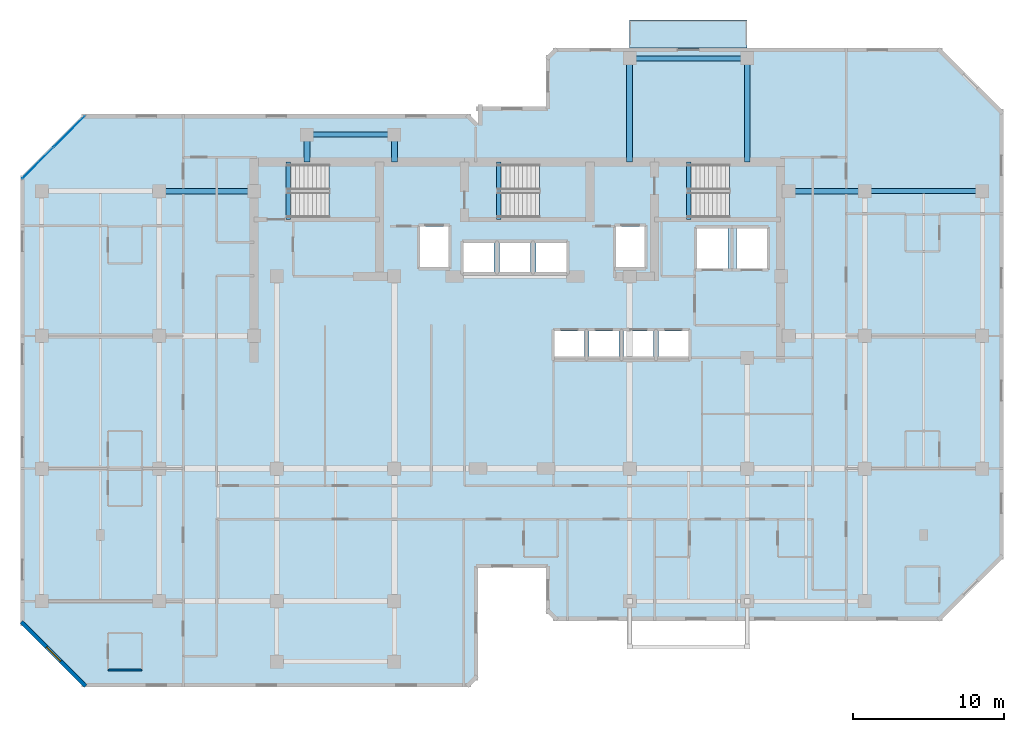
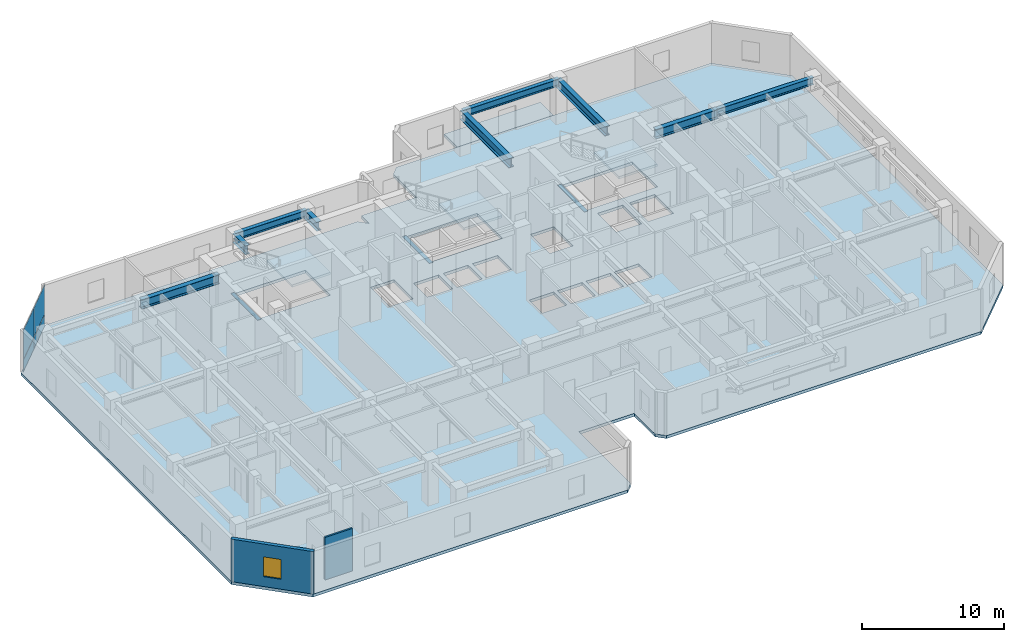
# One storey, part 3 of 10: 12 beams, 5 slabs, 4 plates, 2 walls, 1 window, 1 opening, 4 elements without a shape of their own.
"""IFC4 building model written with IfcOpenShell, lengths in metres."""

from ifc_helpers import new_model, si_unit, direction, frame, frame_2d, origin, origin_2d, place, context, subcontext, project, spatial, polyline, rectangle, i_section, outline, extrude, material, layer, layer_set, material_profile, profile_set, type_object, element, fill, aggregate, save


model = new_model("IFC4")

# Units and contexts
model_context = context("Model", 3, precision=1e-05, world=origin(), true_north=direction((0.0, 1.0)))
body_context = subcontext(model_context, "Body", "Model", "MODEL_VIEW")
ifc_project = project(units=[si_unit("LENGTHUNIT", "METRE"), si_unit("AREAUNIT", "SQUARE_METRE"), si_unit("VOLUMEUNIT", "CUBIC_METRE"), si_unit("PLANEANGLEUNIT", "RADIAN"), si_unit("MASSUNIT", "GRAM", prefix="KILO")], contexts=[model_context])

# Site, building, storey
site_placement = place(None, origin())
site = spatial("IfcSite", under=ifc_project, at=site_placement, CompositionType="ELEMENT")
building_placement = place(site_placement, origin())
building = spatial("IfcBuilding", under=site, at=building_placement, Name="Kestravale Grand Hotel", CompositionType="ELEMENT")
storey_placement = place(building_placement, frame((0.0, 0.0, 224.10009765625)))
storey = spatial("IfcBuildingStorey", under=building, at=storey_placement, Name="L56", CompositionType="ELEMENT", Elevation=224.10009765625)

# Beams
ifc_material_1 = material(Name="Concrete f'c 45 MPa", Category="concrete")
ifc_material_profile_1 = material_profile(ifc_material_1, rectangle(XDim=0.300048828125, YDim=0.39990234375, at=origin_2d()))
ifc_profile_set_1 = profile_set([ifc_material_profile_1], Name="Concrete f'c 45 MPa")
beam_type_1 = type_object("IfcBeamType", Name="B-FLR-LNT400", PredefinedType="LINTEL", material=ifc_profile_set_1)
for number, where, z_axis, x_axis, name in (
    (1, (24.159912109375, 36.52001953125, -0.2001953125), (0.0, 1.0, 0.0), (-1.0, 0.0, 0.0), "L56 ST1 flight bottom header beam"),
    (2, (38.110107421875, 36.52001953125, -0.2001953125), (0.0, 1.0, 0.0), (-1.0, 0.0, 0.0), "L56 ST2 flight bottom header beam"),
    (3, (50.7099609375, 36.52001953125, -0.2001953125), (0.0, 1.0, 0.0), (-1.0, 0.0, 0.0), "L56 ST3 flight bottom header beam"),
):
    element("IfcBeam", number, at=place(storey_placement, frame(where, z_axis=z_axis, x_axis=x_axis)), inside=storey, type_object=beam_type_1, Name=name, PredefinedType="LINTEL", context=body_context, shape_type="SweptSolid", body=[
        extrude(rectangle(XDim=0.300048828125, YDim=0.39990234375, at=origin_2d()), origin(), (0.0, 0.0, 1.0), 3.800048828125),
    ])
ifc_material_2 = material(Name="Steel ASTM A992 Grade 50", Category="steel")
ifc_material_profile_2 = material_profile(ifc_material_2, i_section(OverallWidth=0.324951171875, OverallDepth=0.612060546875, WebThickness=0.0126953125, FlangeThickness=0.01904296875, FilletRadius=0.018798828125, at=origin_2d()))
ifc_profile_set_2 = profile_set([ifc_material_profile_2], Name="Steel ASTM A992 Grade 50")
beam_type_2 = type_object("IfcBeamType", Name="B-FLR-W24A", PredefinedType="SPANDREL", material=ifc_profile_set_2)
for number, where, z_axis, x_axis, name in (
    (4, (62.39990234375, 38.39990234375, 3.343994140625), (1.0, 0.0, 0.0), (0.0, 1.0, 0.0), "L56 spandrel F:10-11"),
    (5, (46.800048828125, 47.199951171875, 3.343994140625), (1.0, 0.0, 0.0), (0.0, 1.0, 0.0), "L56 spandrel G:8-9"),
):
    element("IfcBeam", number, at=place(storey_placement, frame(where, z_axis=z_axis, x_axis=x_axis)), inside=storey, type_object=beam_type_2, Name=name, PredefinedType="SPANDREL", context=body_context, shape_type="SweptSolid", body=[
        extrude(i_section(OverallWidth=0.324951171875, OverallDepth=0.612060546875, WebThickness=0.0126953125, FlangeThickness=0.01904296875, FilletRadius=0.018798828125, at=origin_2d()), origin(), (0.0, 0.0, 1.0), 7.800048828125),
    ])
beam_1_placement = place(storey_placement, frame((25.39990234375, 42.14990234375, 3.343994140625), z_axis=(1.0, 0.0, 0.0), x_axis=(0.0, 1.0, 0.0)))
element("IfcBeam", 6, at=beam_1_placement, inside=storey, type_object=beam_type_2, Name="L56 perimeter tie spandrel FN:4-5", PredefinedType="SPANDREL", context=body_context, shape_type="SweptSolid", body=[
    extrude(i_section(OverallWidth=0.324951171875, OverallDepth=0.612060546875, WebThickness=0.0126953125, FlangeThickness=0.01904296875, FilletRadius=0.018798828125, at=origin_2d()), origin(), (0.0, 0.0, 1.0), 5.800048828125),
])
ifc_material_3 = material(Name="Steel ASTM A992 Grade 50", Category="steel")
ifc_material_profile_3 = material_profile(ifc_material_3, i_section(OverallWidth=0.381103515625, OverallDepth=0.77197265625, WebThickness=0.0166015625, FlangeThickness=0.027099609375, FilletRadius=0.023681640625, at=origin_2d()))
ifc_profile_set_3 = profile_set([ifc_material_profile_3], Name="Steel ASTM A992 Grade 50")
beam_type_3 = type_object("IfcBeamType", Name="B-GRD-W30", PredefinedType="BEAM", material=ifc_profile_set_3)
beam_2_placement = place(storey_placement, frame((15.60009765625, 38.39990234375, 3.263916015625), z_axis=(1.0, 0.0, 0.0), x_axis=(0.0, 1.0, 0.0)))
element("IfcBeam", 7, at=beam_2_placement, inside=storey, type_object=beam_type_3, Name="L56 girder F:3-CW", PredefinedType="BEAM", context=body_context, shape_type="SweptSolid", body=[
    extrude(i_section(OverallWidth=0.381103515625, OverallDepth=0.77197265625, WebThickness=0.0166015625, FlangeThickness=0.027099609375, FilletRadius=0.023681640625, at=origin_2d()), origin(), (0.0, 0.0, 1.0), 6.2998046875),
])
beam_3_placement = place(storey_placement, frame((57.35009765625, 38.39990234375, 3.263916015625), z_axis=(1.0, 0.0, 0.0), x_axis=(0.0, 1.0, 0.0)))
element("IfcBeam", 8, at=beam_3_placement, inside=storey, type_object=beam_type_3, Name="L56 girder F:CE-10", PredefinedType="BEAM", context=body_context, shape_type="SweptSolid", body=[
    extrude(i_section(OverallWidth=0.381103515625, OverallDepth=0.77197265625, WebThickness=0.0166015625, FlangeThickness=0.027099609375, FilletRadius=0.023681640625, at=origin_2d()), origin(), (0.0, 0.0, 1.0), 5.0498046875),
])
for number, where, z_axis, x_axis, name in (
    (9, (25.39990234375, 40.320068359375, 3.263916015625), (0.0, 1.0, 0.0), (-1.0, 0.0, 0.0), "L56 north wing tie girder 4:CN-FN"),
    (10, (31.199951171875, 40.320068359375, 3.263916015625), (0.0, 1.0, 0.0), (-1.0, 0.0, 0.0), "L56 north wing tie girder 5:CN-FN"),
):
    element("IfcBeam", number, at=place(storey_placement, frame(where, z_axis=z_axis, x_axis=x_axis)), inside=storey, type_object=beam_type_3, Name=name, PredefinedType="BEAM", context=body_context, shape_type="SweptSolid", body=[
        extrude(i_section(OverallWidth=0.381103515625, OverallDepth=0.77197265625, WebThickness=0.0166015625, FlangeThickness=0.027099609375, FilletRadius=0.023681640625, at=origin_2d()), origin(), (0.0, 0.0, 1.0), 1.829833984375),
    ])
for number, where, z_axis, x_axis, name in (
    (11, (46.800048828125, 40.320068359375, 3.263916015625), (0.0, 1.0, 0.0), (-1.0, 0.0, 0.0), "L56 north wing tie girder 8:CN-G"),
    (12, (54.60009765625, 40.320068359375, 3.263916015625), (0.0, 1.0, 0.0), (-1.0, 0.0, 0.0), "L56 north wing tie girder 9:CN-G"),
):
    element("IfcBeam", number, at=place(storey_placement, frame(where, z_axis=z_axis, x_axis=x_axis)), inside=storey, type_object=beam_type_3, Name=name, PredefinedType="BEAM", context=body_context, shape_type="SweptSolid", body=[
        extrude(i_section(OverallWidth=0.381103515625, OverallDepth=0.77197265625, WebThickness=0.0166015625, FlangeThickness=0.027099609375, FilletRadius=0.023681640625, at=origin_2d()), origin(), (0.0, 0.0, 1.0), 6.8798828125),
    ])

# Curtain wall, plates
ifc_material_4 = material(Name="Thermally broken champagne-bronze aluminium and low-E glazing", Category="aluminium")
ifc_layer_1 = layer(ifc_material_4, 0.179931640625)
ifc_layer_set_1 = layer_set([ifc_layer_1], Name="CW-Z3")
curtain_wall_type = type_object("IfcCurtainWallType", Name="CW-Z3", PredefinedType="NOTDEFINED", material=ifc_layer_set_1)
curtain_wall_placement = place(storey_placement, origin())
curtain_wall = element("IfcCurtainWall", 13, at=curtain_wall_placement, inside=storey, type_object=curtain_wall_type, Name="L56 unitised curtain wall 18", PredefinedType="NOTDEFINED")
ifc_material_5 = material(Name="Insulated clear low-E double glazing IGU", Category="glass")
ifc_layer_2 = layer(ifc_material_5, 0.031982421875)
ifc_layer_set_2 = layer_set([ifc_layer_2], Name="CW-PNL-32")
plate_type = type_object("IfcPlateType", Name="CW-PNL-32", PredefinedType="CURTAIN_PANEL", material=ifc_layer_set_2)
plate_1_placement = place(storey_placement, frame((9.64453125, 42.3466796875, 0.06494140625), z_axis=(0.0, 0.0, 1.0), x_axis=(-0.707106781187, -0.707106781187, 0.0)))
plate_1 = element("IfcPlate", 14, at=plate_1_placement, type_object=plate_type, Name="CW-Z3 panel 1.1", PredefinedType="CURTAIN_PANEL", context=body_context, shape_type="SweptSolid", body=[
    extrude(rectangle(XDim=2.892333984375, YDim=0.031982421875, at=origin_2d()), origin(), (0.0, 0.0, 1.0), 0.952392578125),
])
plate_2_placement = place(storey_placement, frame((9.64453125, 42.3466796875, 1.08251953125), z_axis=(0.0, 0.0, 1.0), x_axis=(-0.707106781187, -0.707106781187, 0.0)))
plate_2 = element("IfcPlate", 15, at=plate_2_placement, type_object=plate_type, Name="CW-Z3 panel 1.2", PredefinedType="CURTAIN_PANEL", context=body_context, shape_type="SweptSolid", body=[
    extrude(rectangle(XDim=2.892333984375, YDim=0.031982421875, at=origin_2d()), origin(), (0.0, 0.0, 1.0), 2.50244140625),
])
plate_3_placement = place(storey_placement, frame((7.553466796875, 40.25537109375, 0.06494140625), z_axis=(0.0, 0.0, 1.0), x_axis=(-0.707106781187, -0.707106781187, 0.0)))
plate_3 = element("IfcPlate", 16, at=plate_3_placement, type_object=plate_type, Name="CW-Z3 panel 2.1", PredefinedType="CURTAIN_PANEL", context=body_context, shape_type="SweptSolid", body=[
    extrude(rectangle(XDim=2.892333984375, YDim=0.031982421875, at=origin_2d()), origin(), (0.0, 0.0, 1.0), 0.952392578125),
])
plate_4_placement = place(storey_placement, frame((7.553466796875, 40.25537109375, 1.08251953125), z_axis=(0.0, 0.0, 1.0), x_axis=(-0.707106781187, -0.707106781187, 0.0)))
plate_4 = element("IfcPlate", 17, at=plate_4_placement, type_object=plate_type, Name="CW-Z3 panel 2.2", PredefinedType="CURTAIN_PANEL", context=body_context, shape_type="SweptSolid", body=[
    extrude(rectangle(XDim=2.892333984375, YDim=0.031982421875, at=origin_2d()), origin(), (0.0, 0.0, 1.0), 2.50244140625),
])
aggregate(curtain_wall, [plate_1, plate_2, plate_3, plate_4])

# Slab
ifc_material_6 = material(Name="Concrete f'c 45 MPa", Category="concrete")
ifc_layer_3 = layer(ifc_material_6, 0.27001953125)
ifc_layer_set_3 = layer_set([ifc_layer_3], Name="ES-TERR-270")
slab_type_1 = type_object("IfcSlabType", Name="ES-TERR-270", PredefinedType="FLOOR", material=ifc_layer_set_3)
slab_1_placement = place(storey_placement, frame((0.0, 0.0, -0.27001953125)))
element("IfcSlab", 18, at=slab_1_placement, inside=storey, type_object=slab_type_1, Name="L56 spiralling planted garden terrace", PredefinedType="FLOOR", context=body_context, shape_type="SweptSolid", body=[
    extrude(outline(polyline([(46.800048828125, 47.89990234375), (54.60009765625, 47.89990234375), (54.60009765625, 49.75), (46.800048828125, 49.75), (46.800048828125, 47.89990234375)])), origin(), (0.0, 0.0, 1.0), 0.27001953125),
])

# Stair, slab
ifc_material_7 = material(Name="Concrete f'c 45 MPa", Category="concrete")
stair_type = type_object("IfcStairType", Name="ST-CORE-390", PredefinedType="HALF_TURN_STAIR", material=ifc_material_7)
stair_1_placement = place(storey_placement, origin())
stair_1 = element("IfcStair", 19, at=stair_1_placement, inside=storey, type_object=stair_type, Name="L56 ST-1", PredefinedType="HALF_TURN_STAIR")
ifc_material_8 = material(Name="Concrete f'c 45 MPa", Category="concrete")
ifc_layer_4 = layer(ifc_material_8, 0.199951171875)
ifc_layer_set_4 = layer_set([ifc_layer_4], Name="SLB-ST-LND200")
slab_type_2 = type_object("IfcSlabType", Name="SLB-ST-LND200", PredefinedType="LANDING", material=ifc_layer_set_4)
slab_2_placement = place(storey_placement, frame((0.0, 0.0, 1.75)))
slab_2 = element("IfcSlab", 20, at=slab_2_placement, type_object=slab_type_2, Name="ST-1 landing 1", PredefinedType="LANDING", context=body_context, shape_type="SweptSolid", body=[
    extrude(outline(polyline([(26.8798828125, 36.64990234375), (30.0, 36.64990234375), (30.0, 40.159912109375), (26.8798828125, 40.159912109375), (26.8798828125, 36.64990234375)])), origin(), (0.0, 0.0, 1.0), 0.199951171875),
])
aggregate(stair_1, [slab_2])

stair_2_placement = place(storey_placement, origin())
stair_2 = element("IfcStair", 21, at=stair_2_placement, inside=storey, type_object=stair_type, Name="L56 ST-2", PredefinedType="HALF_TURN_STAIR")
slab_3_placement = place(storey_placement, frame((0.0, 0.0, 1.75)))
slab_3 = element("IfcSlab", 22, at=slab_3_placement, type_object=slab_type_2, Name="ST-2 landing 1", PredefinedType="LANDING", context=body_context, shape_type="SweptSolid", body=[
    extrude(outline(polyline([(40.830078125, 36.64990234375), (43.949951171875, 36.64990234375), (43.949951171875, 40.159912109375), (40.830078125, 40.159912109375), (40.830078125, 36.64990234375)])), origin(), (0.0, 0.0, 1.0), 0.199951171875),
])
aggregate(stair_2, [slab_3])

stair_3_placement = place(storey_placement, origin())
stair_3 = element("IfcStair", 23, at=stair_3_placement, inside=storey, type_object=stair_type, Name="L56 ST-3", PredefinedType="HALF_TURN_STAIR")
slab_4_placement = place(storey_placement, frame((0.0, 0.0, 1.75)))
slab_4 = element("IfcSlab", 24, at=slab_4_placement, type_object=slab_type_2, Name="ST-3 landing 1", PredefinedType="LANDING", context=body_context, shape_type="SweptSolid", body=[
    extrude(outline(polyline([(53.429931640625, 36.64990234375), (56.550048828125, 36.64990234375), (56.550048828125, 40.159912109375), (53.429931640625, 40.159912109375), (53.429931640625, 36.64990234375)])), origin(), (0.0, 0.0, 1.0), 0.199951171875),
])
aggregate(stair_3, [slab_4])

# Slab
ifc_material_9 = material(Name="Concrete f'c 45 MPa", Category="concrete")
ifc_layer_5 = layer(ifc_material_9, 0.25)
ifc_layer_set_5 = layer_set([ifc_layer_5], Name="SS-FLR-250")
slab_type_3 = type_object("IfcSlabType", Name="SS-FLR-250", PredefinedType="FLOOR", material=ifc_layer_set_5)
slab_5_placement = place(storey_placement, frame((0.0, 0.0, -0.25)))
element("IfcSlab", 25, at=slab_5_placement, inside=storey, type_object=slab_type_3, Name="L56 structural floor slab", PredefinedType="FLOOR", context=body_context, shape_type="SweptSolid", body=[
    extrude(outline(polyline([(10.60009765625, 5.5), (36.14990234375, 5.5), (36.75, 6.10009765625), (36.75, 13.39990234375), (41.25, 13.39990234375), (41.25, 10.5), (41.85009765625, 9.89990234375), (67.39990234375, 9.89990234375), (71.60009765625, 14.10009765625), (71.60009765625, 43.699951171875), (67.39990234375, 47.89990234375), (41.85009765625, 47.89990234375), (41.25, 47.300048828125), (41.25, 44.0), (36.75, 44.0), (36.75, 42.89990234375), (36.14990234375, 43.5), (10.60009765625, 43.5), (6.39990234375, 39.300048828125), (6.39990234375, 9.699951171875), (10.60009765625, 5.5)]), holes=[polyline([(24.080078125, 36.64990234375), (30.0, 36.64990234375), (30.0, 40.159912109375), (24.080078125, 40.159912109375), (24.080078125, 36.64990234375)]), polyline([(38.030029296875, 36.64990234375), (43.949951171875, 36.64990234375), (43.949951171875, 40.159912109375), (38.030029296875, 40.159912109375), (38.030029296875, 36.64990234375)]), polyline([(50.6298828125, 36.64990234375), (56.550048828125, 36.64990234375), (56.550048828125, 40.159912109375), (50.6298828125, 40.159912109375), (50.6298828125, 36.64990234375)]), polyline([(41.804931640625, 27.280029296875), (43.794921875, 27.280029296875), (43.794921875, 29.1201171875), (41.804931640625, 29.1201171875), (41.804931640625, 27.280029296875)]), polyline([(44.10498046875, 27.280029296875), (46.094970703125, 27.280029296875), (46.094970703125, 29.1201171875), (44.10498046875, 29.1201171875), (44.10498046875, 27.280029296875)]), polyline([(46.405029296875, 27.280029296875), (48.39501953125, 27.280029296875), (48.39501953125, 29.1201171875), (46.405029296875, 29.1201171875), (46.405029296875, 27.280029296875)]), polyline([(48.705078125, 27.280029296875), (50.695068359375, 27.280029296875), (50.695068359375, 29.1201171875), (48.705078125, 29.1201171875), (48.705078125, 27.280029296875)]), polyline([(35.780029296875, 33.030029296875), (37.820068359375, 33.030029296875), (37.820068359375, 34.969970703125), (35.780029296875, 34.969970703125), (35.780029296875, 33.030029296875)]), polyline([(38.179931640625, 33.030029296875), (40.219970703125, 33.030029296875), (40.219970703125, 34.969970703125), (38.179931640625, 34.969970703125), (38.179931640625, 33.030029296875)]), polyline([(40.580078125, 33.030029296875), (42.6201171875, 33.030029296875), (42.6201171875, 34.969970703125), (40.580078125, 34.969970703125), (40.580078125, 33.030029296875)]), polyline([(32.905029296875, 33.35498046875), (34.794921875, 33.35498046875), (34.794921875, 36.044921875), (32.905029296875, 36.044921875), (32.905029296875, 33.35498046875)]), polyline([(45.905029296875, 33.35498046875), (47.794921875, 33.35498046875), (47.794921875, 36.044921875), (45.905029296875, 36.044921875), (45.905029296875, 33.35498046875)]), polyline([(51.280029296875, 33.280029296875), (53.320068359375, 33.280029296875), (53.320068359375, 35.919921875), (51.280029296875, 35.919921875), (51.280029296875, 33.280029296875)]), polyline([(53.8798828125, 33.280029296875), (55.919921875, 33.280029296875), (55.919921875, 35.919921875), (53.8798828125, 35.919921875), (53.8798828125, 33.280029296875)])]), origin(), (0.0, 0.0, 1.0), 0.25),
])

# Wall, opening, window
ifc_material_10 = material(Name="Precast concrete f'c 45 MPa", Category="concrete")
ifc_layer_6 = layer(ifc_material_10, 0.280029296875)
ifc_layer_set_6 = layer_set([ifc_layer_6], Name="EW-PREC-280")
wall_type_1 = type_object("IfcWallType", Name="EW-PREC-280", PredefinedType="SOLIDWALL", material=ifc_layer_set_6)
wall_1_placement = place(storey_placement, frame((6.470703125, 9.827392578125, 0.0), z_axis=(0.0, 0.0, 1.0), x_axis=(0.707106781187, -0.707106781187, 0.0)))
wall_1 = element("IfcWall", 26, at=wall_1_placement, inside=storey, type_object=wall_type_1, Name="L56 fluted precast facade wall 20", PredefinedType="SOLIDWALL", context=body_context, shape_type="SweptSolid", body=[
    extrude(rectangle(XDim=6.019775390625, YDim=0.280029296875, at=frame_2d((3.009765625, 0.0))), origin(), (0.0, 0.0, 1.0), 3.64990234375),
])
opening_placement = place(wall_1_placement, frame((2.35986328125, 0.0, 0.85009765625)))
opening = element("IfcOpeningElement", 27, at=opening_placement, cuts=wall_1, Name="Opening W-GUEST-1300", PredefinedType="OPENING", context=body_context, shape_type="SweptSolid", body=[
    extrude(rectangle(XDim=1.300048828125, YDim=1.699951171875, at=frame_2d((0.64990234375, 0.85009765625))), frame((0.0, 0.14990234375, 0.0), z_axis=(0.0, -1.0, 0.0), x_axis=(1.0, 0.0, 0.0)), (0.0, 0.0, 1.0), 0.300048828125),
])
ifc_material_11 = material(Name="Insulated low-E double glazing in aluminium frame", Category="aluminium")
window_type = type_object("IfcWindowType", Name="W-GUEST-1300", PartitioningType="SINGLE_PANEL", PredefinedType="WINDOW", material=ifc_material_11)
window_placement = place(opening_placement, origin())
window = element("IfcWindow", 28, at=window_placement, inside=storey, type_object=window_type, Name="L56 exterior window 20.1", OverallHeight=1.699951171875, OverallWidth=1.300048828125, PartitioningType="SINGLE_PANEL", PredefinedType="WINDOW", context=body_context, shape_type="SweptSolid", body=[
    extrude(rectangle(XDim=1.300048828125, YDim=1.699951171875, at=frame_2d((0.64990234375, 0.85009765625))), frame((0.0, 0.030029296875, 0.0), z_axis=(0.0, -1.0, 0.0), x_axis=(1.0, 0.0, 0.0)), (0.0, 0.0, 1.0), 0.06005859375),
])
fill(opening, window)

# Wall
ifc_material_12 = material(Name="Moisture-resistant tile-backer plumbing chase wall", Category="other")
ifc_layer_7 = layer(ifc_material_12, 0.139892578125)
ifc_layer_set_7 = layer_set([ifc_layer_7], Name="IW-PLB-140")
wall_type_2 = type_object("IfcWallType", Name="IW-PLB-140", PredefinedType="PLUMBINGWALL", material=ifc_layer_set_7)
wall_2_placement = place(storey_placement, frame((12.199951171875, 6.64990234375, 0.0), z_axis=(0.0, 0.0, 1.0), x_axis=(1.0, 0.0, 0.0)))
element("IfcWall", 29, at=wall_2_placement, inside=storey, type_object=wall_type_2, Name="W-L56-U04-BS", PredefinedType="PLUMBINGWALL", context=body_context, shape_type="SweptSolid", body=[
    extrude(rectangle(XDim=2.25, YDim=0.139892578125, at=frame_2d((1.125, 0.0))), origin(), (0.0, 0.0, 1.0), 3.64990234375),
])

save(model, "model.ifc")
